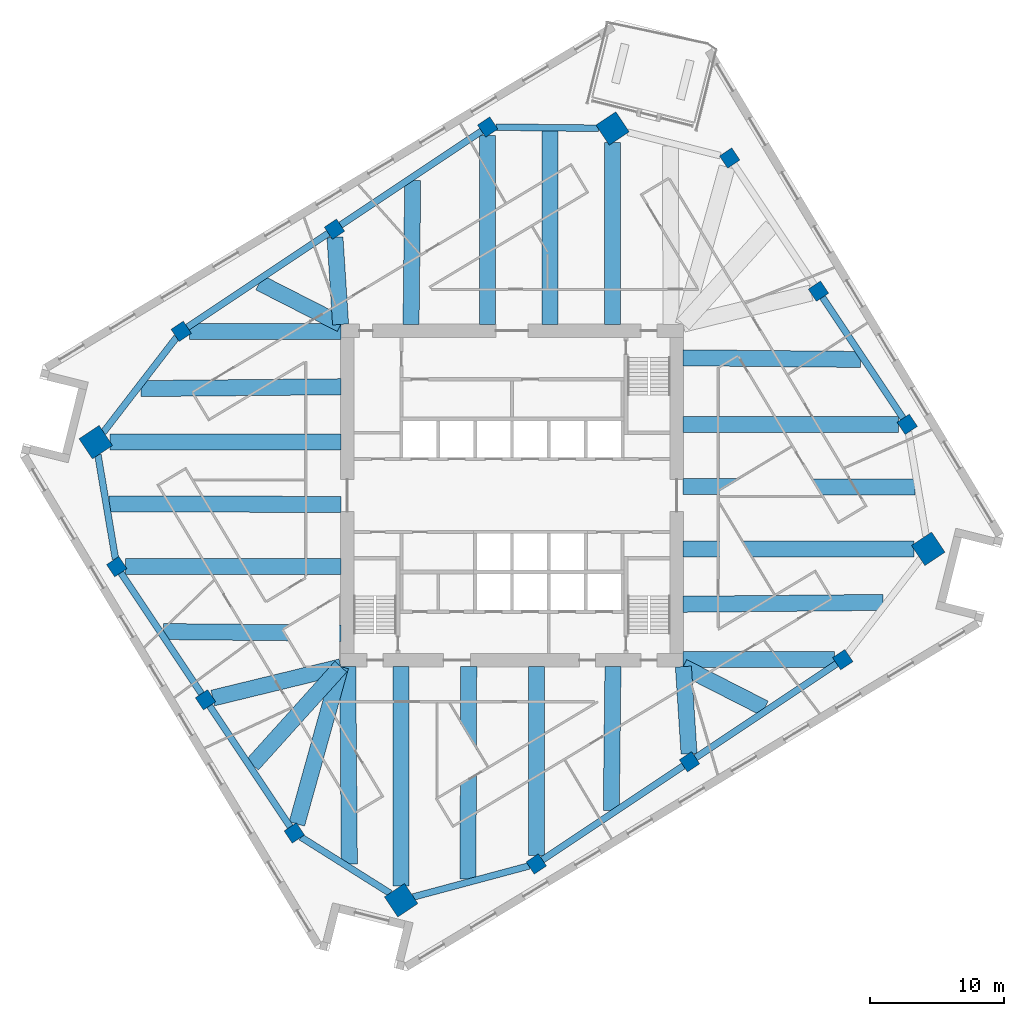
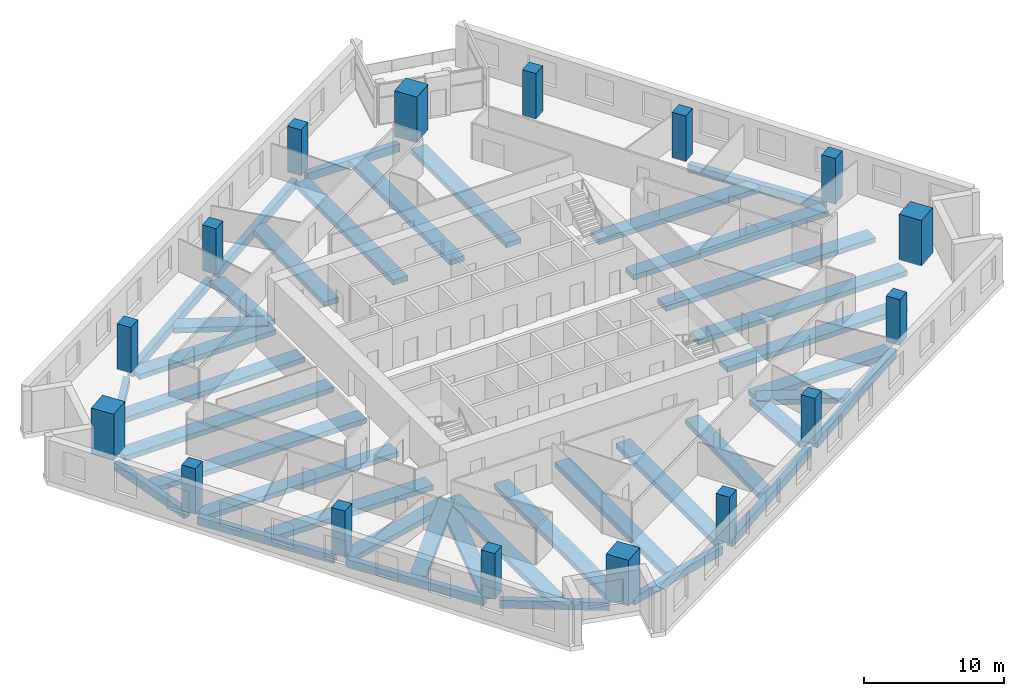
# One storey, part 1 of 14: 40 beams, 16 columns.
"""IFC4 building model written with IfcOpenShell, lengths in metres."""

from ifc_helpers import new_model, si_unit, direction, frame, origin, origin_2d, place, context, subcontext, project, spatial, rectangle, extrude, material, material_profile, profile_set, type_object, element, save


model = new_model("IFC4")

# Units and contexts
model_context = context("Model", 3, precision=1e-05, world=origin(), true_north=direction((0.0, 1.0)))
body_context = subcontext(model_context, "Body", "Model", "MODEL_VIEW")
ifc_project = project(units=[si_unit("LENGTHUNIT", "METRE"), si_unit("AREAUNIT", "SQUARE_METRE"), si_unit("VOLUMEUNIT", "CUBIC_METRE"), si_unit("PLANEANGLEUNIT", "RADIAN"), si_unit("MASSUNIT", "GRAM", prefix="KILO")], contexts=[model_context])

# Site, building, storey
site_placement = place(None, origin())
site = spatial("IfcSite", under=ifc_project, at=site_placement, CompositionType="ELEMENT")
building_placement = place(site_placement, origin())
building = spatial("IfcBuilding", under=site, at=building_placement, Name="Dilmun Exchange Tower", CompositionType="ELEMENT")
storey_placement = place(building_placement, frame((0.0, 0.0, 147.699951171875)))
storey = spatial("IfcBuildingStorey", under=building, at=storey_placement, Name="L34", CompositionType="ELEMENT", Elevation=147.699951171875)

# Columns
ifc_material_1 = material(Name="Concrete C60/75", Category="concrete")
ifc_material_profile_1 = material_profile(ifc_material_1, rectangle(XDim=1.800048828125, YDim=1.800048828125, at=origin_2d()), Name="1800 x 1800")
ifc_profile_set_1 = profile_set([ifc_material_profile_1], Name="Concrete C60/75")
column_type_1 = type_object("IfcColumnType", Name="RC mega column 1800 x 1800 C60/75", PredefinedType="COLUMN", material=ifc_profile_set_1)
for number, where, z_axis, x_axis, name in (
    (1, (7.506103515625, 27.409912109375, 0.0), (0.0, 0.0, 1.0), (0.832028680356, 0.55473261583, 0.0), "Mega column M1"),
    (2, (-31.0791015625, 3.98193359375, 0.0), (0.0, 0.0, 1.0), (0.832028680356, 0.55473261583, 0.0), "Mega column M2"),
    (3, (-8.27587890625, -30.220947265625, 0.0), (0.0, 0.0, 1.0), (0.832028680356, 0.55473261583, 0.0), "Mega column M3"),
    (4, (31.0791015625, -3.98193359375, 0.0), (0.0, 0.0, 1.0), (0.832028680356, 0.55473261583, 0.0), "Mega column M4"),
):
    element("IfcColumn", number, at=place(storey_placement, frame(where, z_axis=z_axis, x_axis=x_axis)), inside=storey, type_object=column_type_1, Name=name, PredefinedType="COLUMN", context=body_context, shape_type="SweptSolid", body=[
        extrude(rectangle(XDim=1.800048828125, YDim=1.800048828125, at=origin_2d()), origin(), (0.0, 0.0, 1.0), 4.0),
    ])
ifc_material_profile_2 = material_profile(ifc_material_1, rectangle(XDim=1.10009765625, YDim=1.10009765625, at=origin_2d()), Name="1100 x 1100")
ifc_profile_set_2 = profile_set([ifc_material_profile_2], Name="Concrete C60/75")
column_type_2 = type_object("IfcColumnType", Name="RC ring column 1100 x 1100 C60/75", PredefinedType="COLUMN", material=ifc_profile_set_2)
for number, where, z_axis, x_axis, name in (
    (5, (-1.818115234375, 27.512939453125, 0.0), (0.0, 0.0, 1.0), (0.832028680356, 0.55473261583, 0.0), "Ring column R01"),
    (6, (-13.258056640625, 19.885009765625, 0.0), (0.0, 0.0, 1.0), (0.832028680356, 0.55473261583, 0.0), "Ring column R02"),
    (7, (-24.698974609375, 12.258056640625, 0.0), (0.0, 0.0, 1.0), (0.832028680356, 0.55473261583, 0.0), "Ring column R03"),
    (8, (-29.510009765625, -5.31201171875, 0.0), (0.0, 0.0, 1.0), (0.832028680356, 0.55473261583, 0.0), "Ring column R04"),
    (9, (-22.881103515625, -15.2548828125, 0.0), (0.0, 0.0, 1.0), (0.832028680356, 0.55473261583, 0.0), "Ring column R05"),
    (10, (-16.251953125, -25.197998046875, 0.0), (0.0, 0.0, 1.0), (0.832028680356, 0.55473261583, 0.0), "Ring column R06"),
    (11, (1.818115234375, -27.512939453125, 0.0), (0.0, 0.0, 1.0), (0.832028680356, 0.55473261583, 0.0), "Ring column R07"),
    (12, (13.258056640625, -19.885009765625, 0.0), (0.0, 0.0, 1.0), (0.832028680356, 0.55473261583, 0.0), "Ring column R08"),
    (13, (24.698974609375, -12.258056640625, 0.0), (0.0, 0.0, 1.0), (0.832028680356, 0.55473261583, 0.0), "Ring column R09"),
    (14, (29.510009765625, 5.31201171875, 0.0), (0.0, 0.0, 1.0), (0.832028680356, 0.55473261583, 0.0), "Ring column R10"),
    (15, (22.881103515625, 15.2548828125, 0.0), (0.0, 0.0, 1.0), (0.832028680356, 0.55473261583, 0.0), "Ring column R11"),
    (16, (16.251953125, 25.197998046875, 0.0), (0.0, 0.0, 1.0), (0.832028680356, 0.55473261583, 0.0), "Ring column R12"),
):
    element("IfcColumn", number, at=place(storey_placement, frame(where, z_axis=z_axis, x_axis=x_axis)), inside=storey, type_object=column_type_2, Name=name, PredefinedType="COLUMN", context=body_context, shape_type="SweptSolid", body=[
        extrude(rectangle(XDim=1.10009765625, YDim=1.10009765625, at=origin_2d()), origin(), (0.0, 0.0, 1.0), 4.0),
    ])

# Beams
ifc_material_2 = material(Name="Concrete C40/50", Category="concrete")
ifc_material_profile_3 = material_profile(ifc_material_2, rectangle(XDim=1.199951171875, YDim=0.449951171875, at=origin_2d()), Name="1200 x 450")
ifc_profile_set_3 = profile_set([ifc_material_profile_3], Name="Concrete C40/50")
beam_type_1 = type_object("IfcBeamType", Name="RC band beam 1200 x 450 C40/50", PredefinedType="BEAM", material=ifc_profile_set_3)
beam_1_placement = place(storey_placement, frame((7.506103515625, 26.355224609375, -0.724853515625), z_axis=(0.0, -1.0, 0.0), x_axis=(1.0, 0.0, 0.0)))
element("IfcBeam", 17, at=beam_1_placement, inside=storey, type_object=beam_type_1, Name="Band beam 1", PredefinedType="BEAM", context=body_context, shape_type="SweptSolid", body=[
    extrude(rectangle(XDim=1.199951171875, YDim=0.449951171875, at=origin_2d()), origin(), (0.0, 0.0, 1.0), 13.582275390625),
])
beam_2_placement = place(storey_placement, frame((-1.818115234375, 26.87890625, -0.724853515625), z_axis=(0.0, -1.0, 0.0), x_axis=(1.0, 0.0, 0.0)))
element("IfcBeam", 18, at=beam_2_placement, inside=storey, type_object=beam_type_1, Name="Band beam 2", PredefinedType="BEAM", context=body_context, shape_type="SweptSolid", body=[
    extrude(rectangle(XDim=1.199951171875, YDim=0.449951171875, at=origin_2d()), origin(), (0.0, 0.0, 1.0), 14.10595703125),
])
beam_3_placement = place(storey_placement, frame((-13.21875, 19.2783203125, -0.724853515625), z_axis=(0.064492965824, -0.997918161654, 0.0), x_axis=(0.997918161654, 0.064492965824, 0.0)))
element("IfcBeam", 19, at=beam_3_placement, inside=storey, type_object=beam_type_1, Name="Band beam 3", PredefinedType="BEAM", context=body_context, shape_type="SweptSolid", body=[
    extrude(rectangle(XDim=1.199951171875, YDim=0.449951171875, at=origin_2d()), origin(), (0.0, 0.0, 1.0), 6.518798828125),
])
beam_4_placement = place(storey_placement, frame((-24.06494140625, 12.258056640625, -0.724853515625), z_axis=(1.0, 0.0, 0.0), x_axis=(0.0, 1.0, 0.0)))
element("IfcBeam", 20, at=beam_4_placement, inside=storey, type_object=beam_type_1, Name="Band beam 4", PredefinedType="BEAM", context=body_context, shape_type="SweptSolid", body=[
    extrude(rectangle(XDim=1.199951171875, YDim=0.449951171875, at=origin_2d()), origin(), (0.0, 0.0, 1.0), 11.2919921875),
])
beam_5_placement = place(storey_placement, frame((-30.0244140625, 3.98193359375, -0.724853515625), z_axis=(1.0, 0.0, 0.0), x_axis=(0.0, 1.0, 0.0)))
element("IfcBeam", 21, at=beam_5_placement, inside=storey, type_object=beam_type_1, Name="Band beam 5", PredefinedType="BEAM", context=body_context, shape_type="SweptSolid", body=[
    extrude(rectangle(XDim=1.199951171875, YDim=0.449951171875, at=origin_2d()), origin(), (0.0, 0.0, 1.0), 17.25146484375),
])
beam_6_placement = place(storey_placement, frame((-28.8759765625, -5.31201171875, -0.724853515625), z_axis=(1.0, 0.0, 0.0), x_axis=(0.0, 1.0, 0.0)))
element("IfcBeam", 22, at=beam_6_placement, inside=storey, type_object=beam_type_1, Name="Band beam 6", PredefinedType="BEAM", context=body_context, shape_type="SweptSolid", body=[
    extrude(rectangle(XDim=1.199951171875, YDim=0.449951171875, at=origin_2d()), origin(), (0.0, 0.0, 1.0), 16.10302734375),
])
beam_7_placement = place(storey_placement, frame((-22.33837890625, -15.122802734375, -0.724853515625), z_axis=(0.971607999859, 0.236596480554, 0.0), x_axis=(-0.236596480554, 0.971607999859, 0.0)))
element("IfcBeam", 23, at=beam_7_placement, inside=storey, type_object=beam_type_1, Name="Band beam 7", PredefinedType="BEAM", context=body_context, shape_type="SweptSolid", body=[
    extrude(rectangle(XDim=1.199951171875, YDim=0.449951171875, at=origin_2d()), origin(), (0.0, 0.0, 1.0), 9.84423828125),
])
beam_8_placement = place(storey_placement, frame((-16.064453125, -24.524658203125, -0.724853515625), z_axis=(0.268225004284, 0.963356292904, 0.0), x_axis=(-0.963356292904, 0.268225004284, 0.0)))
element("IfcBeam", 24, at=beam_8_placement, inside=storey, type_object=beam_type_1, Name="Band beam 8", PredefinedType="BEAM", context=body_context, shape_type="SweptSolid", body=[
    extrude(rectangle(XDim=1.199951171875, YDim=0.449951171875, at=origin_2d()), origin(), (0.0, 0.0, 1.0), 12.19775390625),
])
beam_9_placement = place(storey_placement, frame((-8.27587890625, -29.166259765625, -0.724853515625), z_axis=(0.0, 1.0, 0.0), x_axis=(-1.0, 0.0, 0.0)))
element("IfcBeam", 25, at=beam_9_placement, inside=storey, type_object=beam_type_1, Name="Band beam 9", PredefinedType="BEAM", context=body_context, shape_type="SweptSolid", body=[
    extrude(rectangle(XDim=1.199951171875, YDim=0.449951171875, at=origin_2d()), origin(), (0.0, 0.0, 1.0), 16.393310546875),
])
beam_10_placement = place(storey_placement, frame((1.818115234375, -26.87890625, -0.724853515625), z_axis=(0.0, 1.0, 0.0), x_axis=(-1.0, 0.0, 0.0)))
element("IfcBeam", 26, at=beam_10_placement, inside=storey, type_object=beam_type_1, Name="Band beam 10", PredefinedType="BEAM", context=body_context, shape_type="SweptSolid", body=[
    extrude(rectangle(XDim=1.199951171875, YDim=0.449951171875, at=origin_2d()), origin(), (0.0, 0.0, 1.0), 14.10595703125),
])
beam_11_placement = place(storey_placement, frame((13.21875, -19.2783203125, -0.724853515625), z_axis=(-0.064492965824, 0.997918161654, 0.0), x_axis=(-0.997918161654, -0.064492965824, 0.0)))
element("IfcBeam", 27, at=beam_11_placement, inside=storey, type_object=beam_type_1, Name="Band beam 11", PredefinedType="BEAM", context=body_context, shape_type="SweptSolid", body=[
    extrude(rectangle(XDim=1.199951171875, YDim=0.449951171875, at=origin_2d()), origin(), (0.0, 0.0, 1.0), 6.518798828125),
])
beam_12_placement = place(storey_placement, frame((24.06494140625, -12.258056640625, -0.724853515625), z_axis=(-1.0, 0.0, 0.0), x_axis=(0.0, -1.0, 0.0)))
element("IfcBeam", 28, at=beam_12_placement, inside=storey, type_object=beam_type_1, Name="Band beam 12", PredefinedType="BEAM", context=body_context, shape_type="SweptSolid", body=[
    extrude(rectangle(XDim=1.199951171875, YDim=0.449951171875, at=origin_2d()), origin(), (0.0, 0.0, 1.0), 11.2919921875),
])
beam_13_placement = place(storey_placement, frame((30.0244140625, -3.98193359375, -0.724853515625), z_axis=(-1.0, 0.0, 0.0), x_axis=(0.0, -1.0, 0.0)))
element("IfcBeam", 29, at=beam_13_placement, inside=storey, type_object=beam_type_1, Name="Band beam 13", PredefinedType="BEAM", context=body_context, shape_type="SweptSolid", body=[
    extrude(rectangle(XDim=1.199951171875, YDim=0.449951171875, at=origin_2d()), origin(), (0.0, 0.0, 1.0), 17.25146484375),
])
beam_14_placement = place(storey_placement, frame((28.8759765625, 5.31201171875, -0.724853515625), z_axis=(-1.0, 0.0, 0.0), x_axis=(0.0, -1.0, 0.0)))
element("IfcBeam", 30, at=beam_14_placement, inside=storey, type_object=beam_type_1, Name="Band beam 14", PredefinedType="BEAM", context=body_context, shape_type="SweptSolid", body=[
    extrude(rectangle(XDim=1.199951171875, YDim=0.449951171875, at=origin_2d()), origin(), (0.0, 0.0, 1.0), 16.10302734375),
])
beam_15_placement = place(storey_placement, frame((2.841552734375, 27.238525390625, -0.625), z_axis=(0.00016877352, -0.999999985758, 0.0), x_axis=(0.999999985758, 0.00016877352, 0.0)))
element("IfcBeam", 31, at=beam_15_placement, inside=storey, type_object=beam_type_1, Name="Band beam 17", PredefinedType="BEAM", context=body_context, shape_type="SweptSolid", body=[
    extrude(rectangle(XDim=1.199951171875, YDim=0.449951171875, at=origin_2d()), origin(), (0.0, 0.0, 1.0), 14.465576171875),
])
beam_16_placement = place(storey_placement, frame((-7.414306640625, 23.513427734375, -0.625), z_axis=(-0.011523795482, -0.999933598864, 0.0), x_axis=(0.999933598864, -0.011523795482, 0.0)))
element("IfcBeam", 32, at=beam_16_placement, inside=storey, type_object=beam_type_1, Name="Band beam 18", PredefinedType="BEAM", context=body_context, shape_type="SweptSolid", body=[
    extrude(rectangle(XDim=1.199951171875, YDim=0.449951171875, at=origin_2d()), origin(), (0.0, 0.0, 1.0), 10.7412109375),
])
beam_17_placement = place(storey_placement, frame((-18.854736328125, 15.885986328125, -0.625), z_axis=(0.890922045004, -0.454156261354, 0.0), x_axis=(0.454156261354, 0.890922045004, 0.0)))
element("IfcBeam", 33, at=beam_17_placement, inside=storey, type_object=beam_type_1, Name="Band beam 19", PredefinedType="BEAM", context=body_context, shape_type="SweptSolid", body=[
    extrude(rectangle(XDim=1.199951171875, YDim=0.449951171875, at=origin_2d()), origin(), (0.0, 0.0, 1.0), 6.82275390625),
])
beam_18_placement = place(storey_placement, frame((-27.71240234375, 7.98388671875, -0.625), z_axis=(0.99995842598, 0.009118459957, 0.0), x_axis=(-0.009118459957, 0.99995842598, 0.0)))
element("IfcBeam", 34, at=beam_18_placement, inside=storey, type_object=beam_type_1, Name="Band beam 20", PredefinedType="BEAM", context=body_context, shape_type="SweptSolid", body=[
    extrude(rectangle(XDim=1.199951171875, YDim=0.449951171875, at=origin_2d()), origin(), (0.0, 0.0, 1.0), 14.940185546875),
])
beam_19_placement = place(storey_placement, frame((-30.07470703125, -0.6279296875, -0.625), z_axis=(0.999997699854, -0.002144827713, 0.0), x_axis=(0.002144827713, 0.999997699854, 0.0)))
element("IfcBeam", 35, at=beam_19_placement, inside=storey, type_object=beam_type_1, Name="Band beam 21", PredefinedType="BEAM", context=body_context, shape_type="SweptSolid", body=[
    extrude(rectangle(XDim=1.199951171875, YDim=0.449951171875, at=origin_2d()), origin(), (0.0, 0.0, 1.0), 17.3017578125),
])
beam_20_placement = place(storey_placement, frame((-26.010009765625, -10.159912109375, -0.625), z_axis=(0.999956454863, -0.009332115424, 0.0), x_axis=(0.009332115424, 0.999956454863, 0.0)))
element("IfcBeam", 36, at=beam_20_placement, inside=storey, type_object=beam_type_1, Name="Band beam 22", PredefinedType="BEAM", context=body_context, shape_type="SweptSolid", body=[
    extrude(rectangle(XDim=1.199951171875, YDim=0.449951171875, at=origin_2d()), origin(), (0.0, 0.0, 1.0), 13.237548828125),
])
beam_21_placement = place(storey_placement, frame((-19.381103515625, -20.102783203125, -0.625), z_axis=(0.669462647611, 0.742845719819, 0.0), x_axis=(-0.742845719819, 0.669462647611, 0.0)))
element("IfcBeam", 37, at=beam_21_placement, inside=storey, type_object=beam_type_1, Name="Band beam 23", PredefinedType="BEAM", context=body_context, shape_type="SweptSolid", body=[
    extrude(rectangle(XDim=1.199951171875, YDim=0.449951171875, at=origin_2d()), origin(), (0.0, 0.0, 1.0), 9.857666015625),
])
beam_22_placement = place(storey_placement, frame((-12.145263671875, -27.520751953125, -0.625), z_axis=(-0.008045164826, 0.999967637138, 0.0), x_axis=(-0.999967637138, -0.008045164826, 0.0)))
element("IfcBeam", 38, at=beam_22_placement, inside=storey, type_object=beam_type_1, Name="Band beam 24", PredefinedType="BEAM", context=body_context, shape_type="SweptSolid", body=[
    extrude(rectangle(XDim=1.199951171875, YDim=0.449951171875, at=origin_2d()), origin(), (0.0, 0.0, 1.0), 14.748291015625),
])
beam_23_placement = place(storey_placement, frame((-3.286865234375, -28.651611328125, -0.625), z_axis=(0.003643943273, 0.999993360817, 0.0), x_axis=(-0.999993360817, 0.003643943273, 0.0)))
element("IfcBeam", 39, at=beam_23_placement, inside=storey, type_object=beam_type_1, Name="Band beam 25", PredefinedType="BEAM", context=body_context, shape_type="SweptSolid", body=[
    extrude(rectangle(XDim=1.199951171875, YDim=0.449951171875, at=origin_2d()), origin(), (0.0, 0.0, 1.0), 15.878662109375),
])
beam_24_placement = place(storey_placement, frame((7.414306640625, -23.513427734375, -0.625), z_axis=(0.011523795482, 0.999933598864, 0.0), x_axis=(-0.999933598864, 0.011523795482, 0.0)))
element("IfcBeam", 40, at=beam_24_placement, inside=storey, type_object=beam_type_1, Name="Band beam 26", PredefinedType="BEAM", context=body_context, shape_type="SweptSolid", body=[
    extrude(rectangle(XDim=1.199951171875, YDim=0.449951171875, at=origin_2d()), origin(), (0.0, 0.0, 1.0), 10.7412109375),
])
beam_25_placement = place(storey_placement, frame((18.854736328125, -15.885986328125, -0.625), z_axis=(-0.890922045004, 0.454156261354, 0.0), x_axis=(-0.454156261354, -0.890922045004, 0.0)))
element("IfcBeam", 41, at=beam_25_placement, inside=storey, type_object=beam_type_1, Name="Band beam 27", PredefinedType="BEAM", context=body_context, shape_type="SweptSolid", body=[
    extrude(rectangle(XDim=1.199951171875, YDim=0.449951171875, at=origin_2d()), origin(), (0.0, 0.0, 1.0), 6.82275390625),
])
beam_26_placement = place(storey_placement, frame((27.71240234375, -7.98388671875, -0.625), z_axis=(-0.99995842598, -0.009118459957, 0.0), x_axis=(0.009118459957, -0.99995842598, 0.0)))
element("IfcBeam", 42, at=beam_26_placement, inside=storey, type_object=beam_type_1, Name="Band beam 28", PredefinedType="BEAM", context=body_context, shape_type="SweptSolid", body=[
    extrude(rectangle(XDim=1.199951171875, YDim=0.449951171875, at=origin_2d()), origin(), (0.0, 0.0, 1.0), 14.940185546875),
])
beam_27_placement = place(storey_placement, frame((30.07470703125, 0.6279296875, -0.625), z_axis=(-0.999997699854, 0.002144827713, 0.0), x_axis=(-0.002144827713, -0.999997699854, 0.0)))
element("IfcBeam", 43, at=beam_27_placement, inside=storey, type_object=beam_type_1, Name="Band beam 29", PredefinedType="BEAM", context=body_context, shape_type="SweptSolid", body=[
    extrude(rectangle(XDim=1.199951171875, YDim=0.449951171875, at=origin_2d()), origin(), (0.0, 0.0, 1.0), 17.3017578125),
])
beam_28_placement = place(storey_placement, frame((26.010009765625, 10.159912109375, -0.625), z_axis=(-0.999956454863, 0.009332115424, 0.0), x_axis=(-0.009332115424, -0.999956454863, 0.0)))
element("IfcBeam", 44, at=beam_28_placement, inside=storey, type_object=beam_type_1, Name="Band beam 30", PredefinedType="BEAM", context=body_context, shape_type="SweptSolid", body=[
    extrude(rectangle(XDim=1.199951171875, YDim=0.449951171875, at=origin_2d()), origin(), (0.0, 0.0, 1.0), 13.237548828125),
])
ifc_material_profile_4 = material_profile(ifc_material_2, rectangle(XDim=0.5, YDim=0.699951171875, at=origin_2d()), Name="500 x 700")
ifc_profile_set_4 = profile_set([ifc_material_profile_4], Name="Concrete C40/50")
beam_type_2 = type_object("IfcBeamType", Name="RC ring beam 500 x 700 C40/50", PredefinedType="SPANDREL", material=ifc_profile_set_4)
beam_29_placement = place(storey_placement, frame((6.443359375, 27.421630859375, -0.75), z_axis=(-0.999938955437, 0.011049226175, 0.0), x_axis=(-0.011049226175, -0.999938955437, 0.0)))
element("IfcBeam", 45, at=beam_29_placement, inside=storey, type_object=beam_type_2, Name="Ring beam 1", PredefinedType="SPANDREL", context=body_context, shape_type="SweptSolid", body=[
    extrude(rectangle(XDim=0.5, YDim=0.699951171875, at=origin_2d()), origin(), (0.0, 0.0, 1.0), 7.623046875),
])
beam_30_placement = place(storey_placement, frame((-2.253173828125, 27.222900390625, -0.75), z_axis=(-0.832002986666, -0.554771151177, 0.0), x_axis=(0.554771151177, -0.832002986666, 0.0)))
element("IfcBeam", 46, at=beam_30_placement, inside=storey, type_object=beam_type_2, Name="Ring beam 2", PredefinedType="SPANDREL", context=body_context, shape_type="SweptSolid", body=[
    extrude(rectangle(XDim=0.5, YDim=0.699951171875, at=origin_2d()), origin(), (0.0, 0.0, 1.0), 12.7041015625),
])
beam_31_placement = place(storey_placement, frame((-13.693115234375, 19.594970703125, -0.75), z_axis=(-0.832062120058, -0.554682457235, 0.0), x_axis=(0.554682457235, -0.832062120058, 0.0)))
element("IfcBeam", 47, at=beam_31_placement, inside=storey, type_object=beam_type_2, Name="Ring beam 3", PredefinedType="SPANDREL", context=body_context, shape_type="SweptSolid", body=[
    extrude(rectangle(XDim=0.5, YDim=0.699951171875, at=origin_2d()), origin(), (0.0, 0.0, 1.0), 12.704345703125),
])
beam_32_placement = place(storey_placement, frame((-25.037109375, 11.819580078125, -0.75), z_axis=(-0.610521727247, -0.791999507929, 0.0), x_axis=(0.791999507929, -0.610521727247, 0.0)))
element("IfcBeam", 48, at=beam_32_placement, inside=storey, type_object=beam_type_2, Name="Ring beam 4", PredefinedType="SPANDREL", context=body_context, shape_type="SweptSolid", body=[
    extrude(rectangle(XDim=0.5, YDim=0.699951171875, at=origin_2d()), origin(), (0.0, 0.0, 1.0), 8.97314453125),
])
beam_33_placement = place(storey_placement, frame((-30.91943359375, 3.036376953125, -0.75), z_axis=(0.166485785433, -0.986043854628, 0.0), x_axis=(0.986043854628, 0.166485785433, 0.0)))
element("IfcBeam", 49, at=beam_33_placement, inside=storey, type_object=beam_type_2, Name="Ring beam 5", PredefinedType="SPANDREL", context=body_context, shape_type="SweptSolid", body=[
    extrude(rectangle(XDim=0.5, YDim=0.699951171875, at=origin_2d()), origin(), (0.0, 0.0, 1.0), 7.890869140625),
])
for number, where, z_axis, x_axis, name in (
    (50, (-29.219970703125, -5.747314453125, -0.75), (0.554731197186, -0.832029626196, 0.0), (0.832029626196, 0.554731197186, 0.0), "Ring beam 6"),
    (51, (-22.5908203125, -15.690185546875, -0.75), (0.554731197186, -0.832029626196, 0.0), (0.832029626196, 0.554731197186, 0.0), "Ring beam 7"),
):
    element("IfcBeam", number, at=place(storey_placement, frame(where, z_axis=z_axis, x_axis=x_axis)), inside=storey, type_object=beam_type_2, Name=name, PredefinedType="SPANDREL", context=body_context, shape_type="SweptSolid", body=[
        extrude(rectangle(XDim=0.5, YDim=0.699951171875, at=origin_2d()), origin(), (0.0, 0.0, 1.0), 10.904052734375),
    ])
beam_34_placement = place(storey_placement, frame((-15.764892578125, -25.504638671875, -0.75), z_axis=(0.846177038183, -0.532901885953, 0.0), x_axis=(0.532901885953, 0.846177038183, 0.0)))
element("IfcBeam", 52, at=beam_34_placement, inside=storey, type_object=beam_type_2, Name="Ring beam 8", PredefinedType="SPANDREL", context=body_context, shape_type="SweptSolid", body=[
    extrude(rectangle(XDim=0.5, YDim=0.699951171875, at=origin_2d()), origin(), (0.0, 0.0, 1.0), 7.891357421875),
])
beam_35_placement = place(storey_placement, frame((-7.384521484375, -29.981689453125, -0.75), z_axis=(0.965850974034, 0.259098236113, 0.0), x_axis=(-0.259098236113, 0.965850974034, 0.0)))
element("IfcBeam", 53, at=beam_35_placement, inside=storey, type_object=beam_type_2, Name="Ring beam 9", PredefinedType="SPANDREL", context=body_context, shape_type="SweptSolid", body=[
    extrude(rectangle(XDim=0.5, YDim=0.699951171875, at=origin_2d()), origin(), (0.0, 0.0, 1.0), 8.97412109375),
])
beam_36_placement = place(storey_placement, frame((2.253173828125, -27.222900390625, -0.75), z_axis=(0.832002986666, 0.554771151177, 0.0), x_axis=(-0.554771151177, 0.832002986666, 0.0)))
element("IfcBeam", 54, at=beam_36_placement, inside=storey, type_object=beam_type_2, Name="Ring beam 10", PredefinedType="SPANDREL", context=body_context, shape_type="SweptSolid", body=[
    extrude(rectangle(XDim=0.5, YDim=0.699951171875, at=origin_2d()), origin(), (0.0, 0.0, 1.0), 12.7041015625),
])
beam_37_placement = place(storey_placement, frame((13.693115234375, -19.594970703125, -0.75), z_axis=(0.832062120058, 0.554682457235, 0.0), x_axis=(-0.554682457235, 0.832062120058, 0.0)))
element("IfcBeam", 55, at=beam_37_placement, inside=storey, type_object=beam_type_2, Name="Ring beam 11", PredefinedType="SPANDREL", context=body_context, shape_type="SweptSolid", body=[
    extrude(rectangle(XDim=0.5, YDim=0.699951171875, at=origin_2d()), origin(), (0.0, 0.0, 1.0), 12.704345703125),
])
beam_38_placement = place(storey_placement, frame((29.219970703125, 5.747314453125, -0.75), z_axis=(-0.554731197186, 0.832029626196, 0.0), x_axis=(-0.832029626196, -0.554731197186, 0.0)))
element("IfcBeam", 56, at=beam_38_placement, inside=storey, type_object=beam_type_2, Name="Ring beam 14", PredefinedType="SPANDREL", context=body_context, shape_type="SweptSolid", body=[
    extrude(rectangle(XDim=0.5, YDim=0.699951171875, at=origin_2d()), origin(), (0.0, 0.0, 1.0), 10.904052734375),
])

save(model, "model.ifc")
